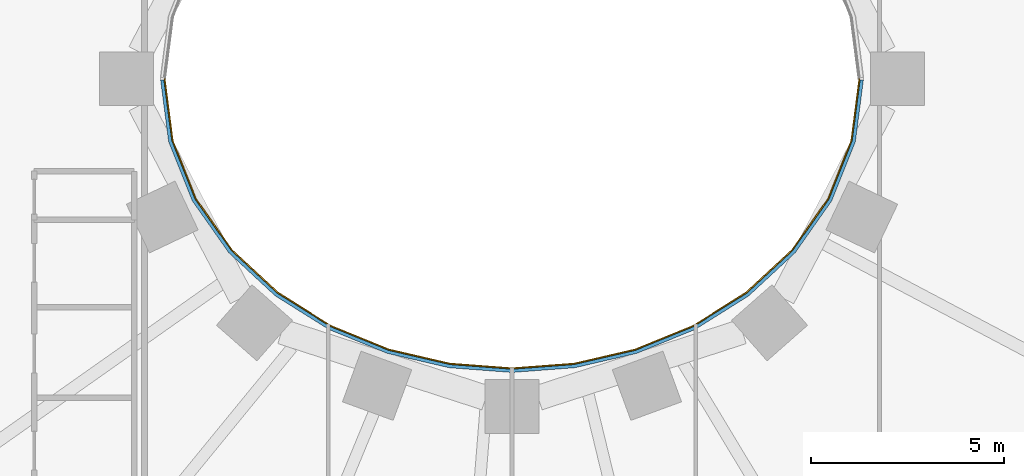
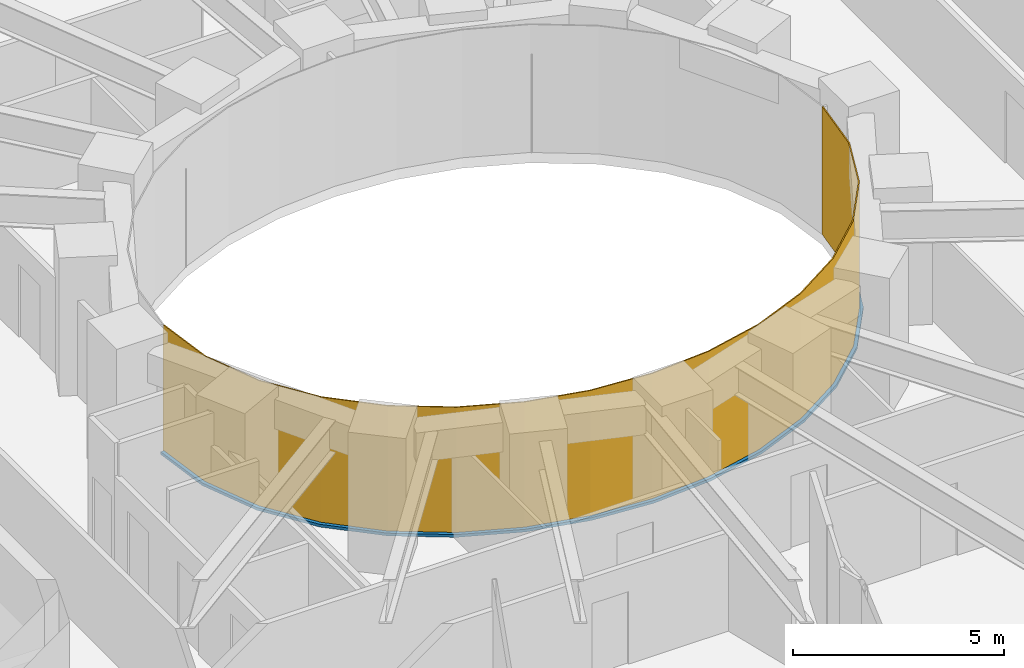
# One storey, part 9 of 16: 1 curtain wall, 1 member.
"""IFC4 building model written with IfcOpenShell, lengths in metres."""

from ifc_helpers import new_model, si_unit, direction, frame, origin, place, context, subcontext, project, spatial, polyline, outline, extrude, material, layer, layer_set, type_object, element, aggregate, save


model = new_model("IFC4")

# Units and contexts
model_context = context("Model", 3, precision=1e-05, world=origin(), true_north=direction((0.0, 1.0)))
body_context = subcontext(model_context, "Body", "Model", "MODEL_VIEW")
ifc_project = project(units=[si_unit("LENGTHUNIT", "METRE"), si_unit("AREAUNIT", "SQUARE_METRE"), si_unit("VOLUMEUNIT", "CUBIC_METRE"), si_unit("PLANEANGLEUNIT", "RADIAN"), si_unit("MASSUNIT", "GRAM", prefix="KILO")], contexts=[model_context])

# Member
ifc_material_1 = material(Name="Steel S355 fire-resisting frame", Category="steel")
member_type = type_object("IfcMemberType", Name="ENV-TRANSOM-W", PredefinedType="USERDEFINED", material=ifc_material_1)
site_placement = place(None, origin())
building_placement = place(site_placement, origin())
storey_placement = place(building_placement, frame((0.0, 0.0, 42.5)))
member_placement = place(storey_placement, origin())
member = element("IfcMember", 1, at=member_placement, type_object=member_type, Name="Transom W well 17-01", ObjectType="TRANSOM", PredefinedType="USERDEFINED", context=body_context, shape_type="SweptSolid", body=[
    extrude(outline(polyline([(-9.119384765625, -0.02783203125), (-8.910400390625, -1.63623046875), (-8.29833984375, -3.167236328125), (-7.35107421875, -4.5146484375), (-6.1455078125, -5.6337890625), (-4.75341796875, -6.50634765625), (-3.233642578125, -7.127685546875), (-1.635498046875, -7.498779296875), (0.0, -7.622314453125), (1.635498046875, -7.498779296875), (3.233642578125, -7.127685546875), (4.75341796875, -6.50634765625), (6.1455078125, -5.6337890625), (7.35107421875, -4.5146484375), (8.29833984375, -3.167236328125), (8.910400390625, -1.63623046875), (9.119384765625, -0.02783203125), (9.02880859375, -0.02783203125), (8.822509765625, -1.61328125), (8.21875, -3.124267578125), (7.282958984375, -4.455078125), (6.090576171875, -5.56201171875), (4.712158203125, -6.426025390625), (3.206298828125, -7.04150390625), (1.621826171875, -7.40966796875), (0.0, -7.531982421875), (-1.621826171875, -7.40966796875), (-3.206298828125, -7.04150390625), (-4.712158203125, -6.426025390625), (-6.090576171875, -5.56201171875), (-7.282958984375, -4.455078125), (-8.21875, -3.124267578125), (-8.822509765625, -1.61328125), (-9.02880859375, -0.02783203125), (-9.119384765625, -0.02783203125)])), origin(), (0.0, 0.0, 1.0), 0.080078125),
])

# Site, building, storey
site = spatial("IfcSite", under=ifc_project, at=site_placement, CompositionType="ELEMENT")
building = spatial("IfcBuilding", under=site, at=building_placement, Name="Noorbagh Ring Tower", CompositionType="ELEMENT")
storey = spatial("IfcBuildingStorey", under=building, at=storey_placement, Name="L08", CompositionType="ELEMENT", Elevation=42.5)

# Curtain wall
ifc_material_2 = material(Name="Glass fire-resisting E60 laminated", Category="glass")
ifc_layer = layer(ifc_material_2, 0.031982421875)
ifc_layer_set = layer_set([ifc_layer], Name="Glass fire-resisting E60 laminated")
curtain_wall_type = type_object("IfcCurtainWallType", Name="ENV-CW-W", PredefinedType="NOTDEFINED", material=ifc_layer_set)
curtain_wall_placement = place(storey_placement, origin())
curtain_wall = element("IfcCurtainWall", 2, at=curtain_wall_placement, inside=storey, type_object=curtain_wall_type, Name="Curtain wall W W17", PredefinedType="NOTDEFINED", context=body_context, shape_type="SweptSolid", body=[
    extrude(outline(polyline([(-9.0322265625, 0.0), (-8.822509765625, -1.61328125), (-8.21875, -3.124267578125), (-7.282958984375, -4.455078125), (-6.090576171875, -5.56201171875), (-4.712158203125, -6.426025390625), (-3.206298828125, -7.04150390625), (-1.621826171875, -7.40966796875), (0.0, -7.531982421875), (1.621826171875, -7.40966796875), (3.206298828125, -7.04150390625), (4.712158203125, -6.426025390625), (6.090576171875, -5.56201171875), (7.282958984375, -4.455078125), (8.21875, -3.124267578125), (8.822509765625, -1.61328125), (9.0322265625, 0.0), (9.0, 0.0), (8.79150390625, -1.605224609375), (8.1904296875, -3.10888671875), (7.2587890625, -4.43408203125), (6.071044921875, -5.53662109375), (4.697509765625, -6.3974609375), (3.196533203125, -7.010986328125), (1.6171875, -7.3779296875), (0.0, -7.5), (-1.6171875, -7.3779296875), (-3.196533203125, -7.010986328125), (-4.697509765625, -6.3974609375), (-6.071044921875, -5.53662109375), (-7.2587890625, -4.43408203125), (-8.1904296875, -3.10888671875), (-8.79150390625, -1.605224609375), (-9.0, 0.0), (-9.0322265625, 0.0)])), origin(), (0.0, 0.0, 1.0), 3.699951171875),
])

aggregate(curtain_wall, [member])

save(model, "model.ifc")
